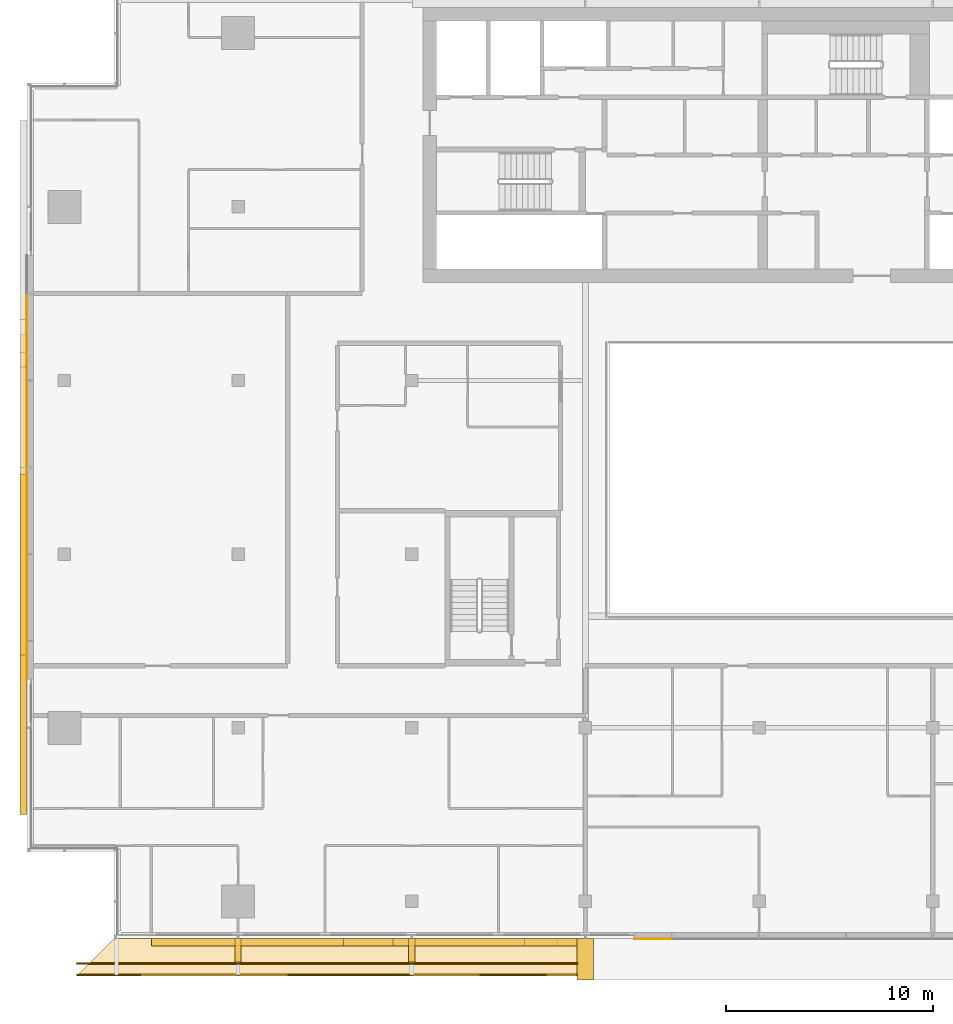
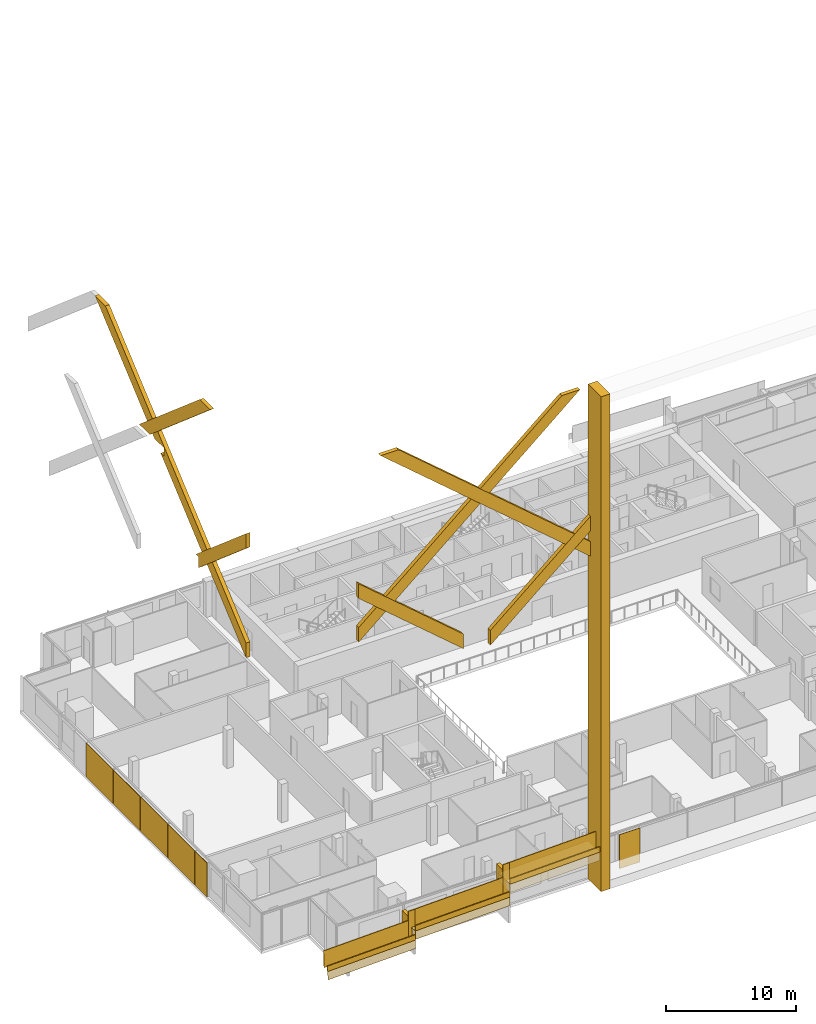
# One storey, part 27 of 31: 22 coverings, 5 railings.
"""IFC4 building model written with IfcOpenShell, lengths in metres."""

from ifc_helpers import new_model, si_unit, direction, frame, origin, origin_2d, place, context, subcontext, project, spatial, polyline, rectangle, outline, extrude, material, layer, layer_set, type_object, element, save


model = new_model("IFC4")

# Units and contexts
model_context = context("Model", 3, precision=1e-05, world=origin(), true_north=direction((0.0, 1.0)))
body_context = subcontext(model_context, "Body", "Model", "MODEL_VIEW")
ifc_project = project(units=[si_unit("LENGTHUNIT", "METRE"), si_unit("AREAUNIT", "SQUARE_METRE"), si_unit("VOLUMEUNIT", "CUBIC_METRE"), si_unit("PLANEANGLEUNIT", "RADIAN"), si_unit("MASSUNIT", "GRAM", prefix="KILO")], contexts=[model_context])

# Site, building, storey
site_placement = place(None, origin())
site = spatial("IfcSite", under=ifc_project, at=site_placement, CompositionType="ELEMENT")
building_placement = place(site_placement, origin())
building = spatial("IfcBuilding", under=site, at=building_placement, Name="Saffron Gate Tower", CompositionType="ELEMENT")
storey_placement = place(building_placement, frame((0.0, 0.0, 205.5)))
storey = spatial("IfcBuildingStorey", under=building, at=storey_placement, Name="L49", CompositionType="ELEMENT", Elevation=205.5)

# Coverings
ifc_material_1 = material(Name="Ceramic-printed bronze insulated panel")
ifc_layer_1 = layer(ifc_material_1, 0.0400390625)
ifc_layer_set_1 = layer_set([ifc_layer_1], Name="CLDA ceramic-printed bay cladding 40")
covering_type_1 = type_object("IfcCoveringType", Name="CLDA ceramic-printed bay cladding 40", PredefinedType="CLADDING", material=ifc_layer_set_1)
covering_1_placement = place(storey_placement, origin())
element("IfcCovering", 1, at=covering_1_placement, inside=storey, type_object=covering_type_1, Name="CLADDING bay panel in front of the arch", PredefinedType="CLADDING", context=body_context, shape_type="SweptSolid", body=[
    extrude(outline(polyline([(77.350830078125, 29.9599609375), (79.169921875, 29.9599609375), (79.169921875, 30.0), (77.350830078125, 30.0), (77.350830078125, 29.9599609375)])), origin(), (0.0, 0.0, 1.0), 3.199951171875),
])
covering_2_placement = place(storey_placement, origin())
element("IfcCovering", 2, at=covering_2_placement, inside=storey, type_object=covering_type_1, Name="CLADDING bay panel in front of the arch", PredefinedType="CLADDING", context=body_context, shape_type="SweptSolid", body=[
    extrude(outline(polyline([(47.9599609375, 61.169921875), (47.9599609375, 57.030029296875), (48.0, 57.030029296875), (48.0, 61.169921875), (47.9599609375, 61.169921875)])), origin(), (0.0, 0.0, 1.0), 3.199951171875),
])
covering_3_placement = place(storey_placement, origin())
element("IfcCovering", 3, at=covering_3_placement, inside=storey, type_object=covering_type_1, Name="CLADDING bay panel in front of the arch", PredefinedType="CLADDING", context=body_context, shape_type="SweptSolid", body=[
    extrude(outline(polyline([(47.9599609375, 56.969970703125), (47.9599609375, 52.830078125), (48.0, 52.830078125), (48.0, 56.969970703125), (47.9599609375, 56.969970703125)])), origin(), (0.0, 0.0, 1.0), 3.199951171875),
])
covering_4_placement = place(storey_placement, origin())
element("IfcCovering", 4, at=covering_4_placement, inside=storey, type_object=covering_type_1, Name="CLADDING bay panel in front of the arch", PredefinedType="CLADDING", context=body_context, shape_type="SweptSolid", body=[
    extrude(outline(polyline([(47.9599609375, 52.77001953125), (47.9599609375, 48.6298828125), (48.0, 48.6298828125), (48.0, 52.77001953125), (47.9599609375, 52.77001953125)])), origin(), (0.0, 0.0, 1.0), 3.199951171875),
])
covering_5_placement = place(storey_placement, origin())
element("IfcCovering", 5, at=covering_5_placement, inside=storey, type_object=covering_type_1, Name="CLADDING bay panel in front of the arch", PredefinedType="CLADDING", context=body_context, shape_type="SweptSolid", body=[
    extrude(outline(polyline([(47.9599609375, 48.570068359375), (47.9599609375, 44.429931640625), (48.0, 44.429931640625), (48.0, 48.570068359375), (47.9599609375, 48.570068359375)])), origin(), (0.0, 0.0, 1.0), 3.199951171875),
])
covering_6_placement = place(storey_placement, origin())
element("IfcCovering", 6, at=covering_6_placement, inside=storey, type_object=covering_type_1, Name="CLADDING bay panel in front of the arch", PredefinedType="CLADDING", context=body_context, shape_type="SweptSolid", body=[
    extrude(outline(polyline([(47.9599609375, 44.3701171875), (47.9599609375, 42.55078125), (48.0, 42.55078125), (48.0, 44.3701171875), (47.9599609375, 44.3701171875)])), origin(), (0.0, 0.0, 1.0), 3.199951171875),
])
ifc_layer_2 = layer(ifc_material_1, 0.800048828125)
ifc_layer_set_2 = layer_set([ifc_layer_2], Name="FN1 atrium fin")
covering_type_2 = type_object("IfcCoveringType", Name="FN1 atrium fin", PredefinedType="CLADDING", material=ifc_layer_set_2)
covering_7_placement = place(storey_placement, origin())
element("IfcCovering", 7, at=covering_7_placement, inside=storey, type_object=covering_type_2, Name="CLADDING atrium fin", PredefinedType="CLADDING", context=body_context, shape_type="SweptSolid", body=[
    extrude(outline(polyline([(74.60009765625, 30.0), (75.39990234375, 30.0), (75.39990234375, 28.0), (74.60009765625, 28.0), (74.60009765625, 30.0)])), origin(), (0.0, 0.0, 1.0), 46.5),
])
ifc_material_2 = material(Name="Timber, thermally modified ash", Category="wood")
ifc_layer_3 = layer(ifc_material_2, 0.800048828125)
ifc_layer_set_3 = layer_set([ifc_layer_3], Name="LD1 ledge timber")
covering_type_3 = type_object("IfcCoveringType", Name="LD1 ledge timber", PredefinedType="CLADDING", material=ifc_layer_set_3)
covering_8_placement = place(storey_placement, frame((52.199951171875, 30.0, 0.89990234375), z_axis=(-0.028789477025, 2.391759e-05, 0.999585496814), x_axis=(0.9995854971, -1.72e-10, 0.028789477033)))
element("IfcCovering", 8, at=covering_8_placement, inside=storey, type_object=covering_type_3, Name="LEDGE", PredefinedType="CLADDING", context=body_context, shape_type="SweptSolid", body=[
    extrude(outline(polyline([(0.0, 0.0), (6.002489288687248, -8.470329472543003e-22), (6.002489288996045, -1.8000488276101398), (-1.800792782710612, -1.8000488299785034), (0.0, 0.0)])), origin(), (0.0, 0.0, -1.0), 0.800048828125),
])
covering_9_placement = place(storey_placement, frame((58.199951171875, 30.0, 1.93017578125), z_axis=(-0.028790339263, 0.0, 0.999585472266), x_axis=(0.999585472266, 0.0, 0.028790339263)))
element("IfcCovering", 9, at=covering_9_placement, inside=storey, type_object=covering_type_3, Name="LEDGE", PredefinedType="CLADDING", context=body_context, shape_type="SweptSolid", body=[
    extrude(outline(polyline([(0.0, 0.0), (8.403630022085892, 0.0), (8.403630022085892, -1.800048828125), (0.0, -1.800048828125), (0.0, 0.0)])), origin(), (0.0, 0.0, -1.0), 0.800048828125),
])
covering_10_placement = place(storey_placement, frame((66.60009765625, 30.0, 3.37255859375), z_axis=(-0.028796646555, 0.0, 0.999585290582), x_axis=(0.999585290582, 0.0, 0.028796646555)))
element("IfcCovering", 10, at=covering_10_placement, inside=storey, type_object=covering_type_3, Name="LEDGE", PredefinedType="CLADDING", context=body_context, shape_type="SweptSolid", body=[
    extrude(outline(polyline([(0.0, 0.0), (8.003319051788862, 0.0), (8.003319051788862, -1.800048828125), (0.0, -1.800048828125), (0.0, 0.0)])), origin(), (0.0, 0.0, -1.0), 0.800048828125),
])
ifc_layer_4 = layer(ifc_material_2, 0.080078125)
ifc_layer_set_4 = layer_set([ifc_layer_4], Name="LD2 ledge planter trough")
covering_type_4 = type_object("IfcCoveringType", Name="LD2 ledge planter trough", PredefinedType="CLADDING", material=ifc_layer_set_4)
covering_11_placement = place(storey_placement, frame((50.39990234375, 28.199951171875, 0.84814453125), z_axis=(0.0, -1.0, 0.0), x_axis=(0.999585655924, 0.0, 0.028783962047)))
element("IfcCovering", 11, at=covering_11_placement, inside=storey, type_object=covering_type_4, Name="LEDGE planter trough", PredefinedType="CLADDING", context=body_context, shape_type="SweptSolid", body=[
    extrude(outline(polyline([(0.0, 0.0), (7.803282071825423, 2.7755575615628914e-17), (7.817674052849086, 0.4997928279619612), (0.014391981023662846, 0.4997928279619612), (0.0, 0.0)])), origin(), (0.0, 0.0, -1.0), 0.080078125),
])
covering_12_placement = place(storey_placement, frame((58.199951171875, 28.199951171875, 1.93017578125), z_axis=(0.0, -1.0, 0.0), x_axis=(0.999585472266, 0.0, 0.028790339263)))
element("IfcCovering", 12, at=covering_12_placement, inside=storey, type_object=covering_type_4, Name="LEDGE planter trough", PredefinedType="CLADDING", context=body_context, shape_type="SweptSolid", body=[
    extrude(outline(polyline([(0.0, 0.0), (8.403630022085892, 0.0), (8.418025191717298, 0.4997927361329725), (0.014395169631405694, 0.4997927361329725), (0.0, 0.0)])), origin(), (0.0, 0.0, -1.0), 0.080078125),
])
covering_13_placement = place(storey_placement, frame((66.60009765625, 28.199951171875, 3.37255859375), z_axis=(0.0, -1.0, 0.0), x_axis=(0.999585290582, 0.0, 0.028796646555)))
element("IfcCovering", 13, at=covering_13_placement, inside=storey, type_object=covering_type_4, Name="LEDGE planter trough", PredefinedType="CLADDING", context=body_context, shape_type="SweptSolid", body=[
    extrude(outline(polyline([(0.0, 0.0), (8.003319051788862, 0.0), (8.017717375066283, 0.4997926452908234), (0.014398323277421184, 0.49979264529082346), (0.0, 0.0)])), origin(), (0.0, 0.0, -1.0), 0.080078125),
])
ifc_layer_5 = layer(ifc_material_2, 0.300048828125)
ifc_layer_set_5 = layer_set([ifc_layer_5], Name="LD3 ledge riser fin")
covering_type_5 = type_object("IfcCoveringType", Name="LD3 ledge riser fin", PredefinedType="CLADDING", material=ifc_layer_set_5)
covering_14_placement = place(storey_placement, frame((58.199951171875, 29.43994140625, 0.27294921875), z_axis=(0.0, 0.0, 1.0), x_axis=(1.0, 0.0, 0.0)))
element("IfcCovering", 14, at=covering_14_placement, inside=storey, type_object=covering_type_5, Name="LEDGE riser fin", PredefinedType="CLADDING", context=body_context, shape_type="SweptSolid", body=[
    extrude(rectangle(XDim=0.300048828125, YDim=1.1201171875, at=origin_2d()), origin(), (0.0, 0.0, 1.0), 2.557373046875),
])
covering_15_placement = place(storey_placement, frame((66.60009765625, 29.43994140625, 1.372314453125), z_axis=(0.0, 0.0, 1.0), x_axis=(1.0, 0.0, 0.0)))
element("IfcCovering", 15, at=covering_15_placement, inside=storey, type_object=covering_type_5, Name="LEDGE riser fin", PredefinedType="CLADDING", context=body_context, shape_type="SweptSolid", body=[
    extrude(rectangle(XDim=0.300048828125, YDim=1.1201171875, at=origin_2d()), origin(), (0.0, 0.0, 1.0), 2.900390625),
])

# Railings
railing_type = type_object("IfcRailingType", Name="LG1 ledge balustrade", PredefinedType="BALUSTRADE", material=ifc_material_2)
railing_1_placement = place(storey_placement, frame((50.39990234375, 28.800048828125, 0.84814453125)))
element("IfcRailing", 16, at=railing_1_placement, inside=storey, type_object=railing_type, Name="LEDGE BALUSTRADE", PredefinedType="BALUSTRADE", context=body_context, shape_type="SweptSolid", body=[
    extrude(rectangle(XDim=0.06005859375, YDim=1.60009765625, at=origin_2d()), frame((0.0, 0.0, 0.800048828125), z_axis=(0.999585655924, 0.0, 0.028783962047), x_axis=(0.0, 1.0, 0.0)), (0.0, 0.0, 1.0), 7.80322265625),
])
railing_2_placement = place(storey_placement, frame((58.199951171875, 28.800048828125, 1.93017578125)))
element("IfcRailing", 17, at=railing_2_placement, inside=storey, type_object=railing_type, Name="LEDGE BALUSTRADE", PredefinedType="BALUSTRADE", context=body_context, shape_type="SweptSolid", body=[
    extrude(rectangle(XDim=0.06005859375, YDim=1.60009765625, at=origin_2d()), frame((0.0, 0.0, 0.800048828125), z_axis=(0.999585472266, 0.0, 0.028790339263), x_axis=(0.0, 1.0, 0.0)), (0.0, 0.0, 1.0), 8.403564453125),
])
railing_3_placement = place(storey_placement, frame((57.89990234375, 28.800048828125, 1.07275390625)))
element("IfcRailing", 18, at=railing_3_placement, inside=storey, type_object=railing_type, Name="LEDGE BALUSTRADE", PredefinedType="BALUSTRADE", context=body_context, shape_type="SweptSolid", body=[
    extrude(rectangle(XDim=0.06005859375, YDim=2.45751953125, at=origin_2d()), frame((0.0, 0.0, 1.228759765625), z_axis=(1.0, 0.0, 0.0), x_axis=(0.0, 1.0, 0.0)), (0.0, 0.0, 1.0), 0.60009765625),
])
railing_4_placement = place(storey_placement, frame((66.60009765625, 28.800048828125, 3.37255859375)))
element("IfcRailing", 19, at=railing_4_placement, inside=storey, type_object=railing_type, Name="LEDGE BALUSTRADE", PredefinedType="BALUSTRADE", context=body_context, shape_type="SweptSolid", body=[
    extrude(rectangle(XDim=0.06005859375, YDim=1.60009765625, at=origin_2d()), frame((0.0, 0.0, 0.800048828125), z_axis=(0.999585290582, 0.0, 0.028796646555), x_axis=(0.0, 1.0, 0.0)), (0.0, 0.0, 1.0), 8.00341796875),
])
railing_5_placement = place(storey_placement, frame((66.300048828125, 28.800048828125, 2.172119140625)))
element("IfcRailing", 20, at=railing_5_placement, inside=storey, type_object=railing_type, Name="LEDGE BALUSTRADE", PredefinedType="BALUSTRADE", context=body_context, shape_type="SweptSolid", body=[
    extrude(rectangle(XDim=0.06005859375, YDim=2.80029296875, at=origin_2d()), frame((0.0, 0.0, 1.400146484375), z_axis=(1.0, 0.0, 0.0), x_axis=(0.0, 1.0, 0.0)), (0.0, 0.0, 1.0), 0.599853515625),
])

# Coverings
ifc_layer_6 = layer(ifc_material_1, 0.35009765625)
ifc_layer_set_6 = layer_set([ifc_layer_6], Name="LZ1 lozenge lattice bar 1600")
covering_type_6 = type_object("IfcCoveringType", Name="LZ1 lozenge lattice bar 1600", PredefinedType="CLADDING", material=ifc_layer_set_6)
covering_16_placement = place(storey_placement, frame((54.0, 29.64990234375, 29.6572265625), z_axis=(0.0, -1.0, 0.0), x_axis=(0.759256602365, 0.0, 0.650791373456)))
element("IfcCovering", 21, at=covering_16_placement, inside=storey, type_object=covering_type_6, Name="CLADDING lozenge lattice bar", PredefinedType="CLADDING", context=body_context, shape_type="SweptSolid", body=[
    extrude(outline(polyline([(0.0, 0.0), (25.88044974852383, 0.0), (24.665750403968218, 1.041170866761954), (0.8924548693120544, 1.0411973475307301), (0.0, 0.0)])), origin(), (0.0, 0.0, -1.0), 0.35009765625),
])
covering_17_placement = place(storey_placement, frame((65.699951171875, 29.64990234375, 26.6572265625), z_axis=(0.0, -1.0, 0.0), x_axis=(0.0, 0.0, -1.0)))
element("IfcCovering", 22, at=covering_17_placement, inside=storey, type_object=covering_type_6, Name="CLADDING lozenge lattice bar", PredefinedType="CLADDING", context=body_context, shape_type="SweptSolid", body=[
    extrude(outline(polyline([(0.0, 0.0), (1.37158203125, 0.0), (-6.599853515625, 9.300048828125), (-7.971435546875, 9.300048828125), (0.0, 0.0)])), origin(), (0.0, 0.0, -1.0), 0.35009765625),
])
covering_18_placement = place(storey_placement, frame((63.300048828125, 29.64990234375, 25.800048828125), z_axis=(0.0, -1.0, 0.0), x_axis=(0.0, 0.0, 1.0)))
element("IfcCovering", 23, at=covering_18_placement, inside=storey, type_object=covering_type_6, Name="CLADDING lozenge lattice bar", PredefinedType="CLADDING", context=body_context, shape_type="SweptSolid", body=[
    extrude(outline(polyline([(0.0, 0.0), (1.371337890625, 0.0), (9.3427734375, 9.300048828125), (7.971435546875, 9.300048828125), (0.0, 0.0)])), origin(), (0.0, 0.0, -1.0), 0.35009765625),
])
covering_19_placement = place(storey_placement, frame((75.0, 29.64990234375, 30.17138671875), z_axis=(0.0, -1.0, 0.0), x_axis=(0.0, 0.0, 1.0)))
element("IfcCovering", 24, at=covering_19_placement, inside=storey, type_object=covering_type_6, Name="CLADDING lozenge lattice bar", PredefinedType="CLADDING", context=body_context, shape_type="SweptSolid", body=[
    extrude(outline(polyline([(0.0, 0.0), (1.37158203125, 0.0), (16.32861328125, 17.449951171875), (16.32861328125, 19.050048828125), (0.0, 0.0)])), origin(), (0.0, 0.0, -1.0), 0.35009765625),
])
covering_20_placement = place(storey_placement, frame((47.64990234375, 52.446044921875, 38.531982421875), z_axis=(-1.0, 0.0, 0.0), x_axis=(0.0, -0.999586778905, 0.028744937603)))
element("IfcCovering", 25, at=covering_20_placement, inside=storey, type_object=covering_type_6, Name="CLADDING lozenge lattice bar", PredefinedType="CLADDING", context=body_context, shape_type="SweptSolid", body=[
    extrude(outline(polyline([(0.0, 0.0), (1.6562019557102479, 0.0), (11.120533806419362, 7.651520297340154), (9.52134138401551, 7.697507986820872), (0.0, 0.0)])), origin(), (0.0, 0.0, -1.0), 0.35009765625),
])
covering_21_placement = place(storey_placement, frame((47.64990234375, 43.7099609375, 31.6201171875), z_axis=(-1.0, 0.0, 0.0), x_axis=(0.0, -1.0, 0.0)))
element("IfcCovering", 26, at=covering_21_placement, inside=storey, type_object=covering_type_6, Name="CLADDING lozenge lattice bar", PredefinedType="CLADDING", context=body_context, shape_type="SweptSolid", body=[
    extrude(outline(polyline([(0.0, 0.0), (0.35986328125, 0.0), (0.35986328125, -1.06298828125), (7.7099609375, 5.237060546875), (7.7099609375, 6.6083984375), (0.0, 0.0)])), origin(), (0.0, 0.0, -1.0), 0.35009765625),
])
covering_22_placement = place(storey_placement, frame((47.64990234375, 36.0, 27.94287109375), z_axis=(-1.0, 0.0, 0.0), x_axis=(0.0, 0.75925539362, 0.650792783656)))
element("IfcCovering", 27, at=covering_22_placement, inside=storey, type_object=covering_type_6, Name="CLADDING lozenge lattice bar", PredefinedType="CLADDING", context=body_context, shape_type="SweptSolid", body=[
    extrude(outline(polyline([(0.0, 0.0), (28.51465070340317, -1.7763568394002505e-15), (29.72953347922975, 1.0413320078325867), (17.59252328347419, 1.0413359459888678), (16.530143113776106, 0.07605698933298832), (16.00947710985981, 0.6834983772462779), (16.40337788069177, 1.0413866988734188), (-0.8924568031729704, 1.041195689932544), (0.0, 0.0)])), origin(), (0.0, 0.0, -1.0), 0.35009765625),
])

save(model, "model.ifc")
